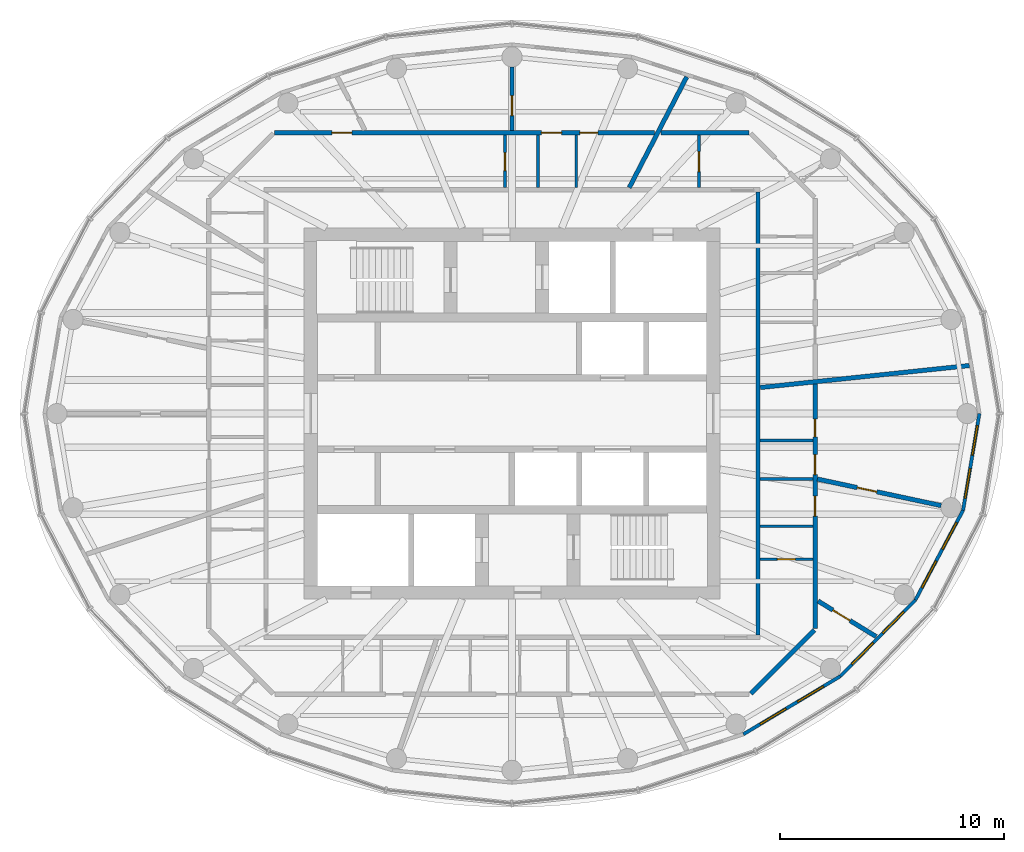
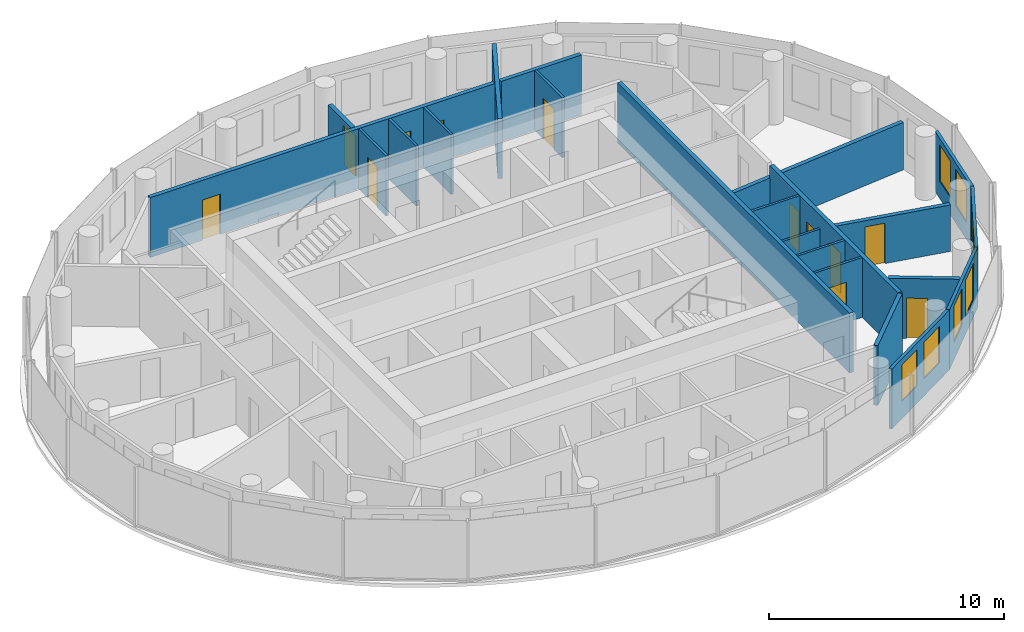
# One storey, part 8 of 11: 22 walls, 12 doors, 8 windows, 20 openings.
"""IFC4 building model written with IfcOpenShell, lengths in metres."""

from ifc_helpers import new_model, si_unit, direction, frame, frame_2d, origin, place, context, subcontext, project, spatial, rectangle, extrude, material, layer, layer_set, type_object, element, fill, save


model = new_model("IFC4")

# Units and contexts
model_context = context("Model", 3, precision=1e-05, world=origin(), true_north=direction((0.0, 1.0)))
body_context = subcontext(model_context, "Body", "Model", "MODEL_VIEW")
ifc_project = project(units=[si_unit("LENGTHUNIT", "METRE"), si_unit("AREAUNIT", "SQUARE_METRE"), si_unit("VOLUMEUNIT", "CUBIC_METRE"), si_unit("PLANEANGLEUNIT", "RADIAN"), si_unit("MASSUNIT", "GRAM", prefix="KILO")], contexts=[model_context])

# Site, building, storey
site_placement = place(None, origin())
site = spatial("IfcSite", under=ifc_project, at=site_placement, CompositionType="ELEMENT")
building_placement = place(site_placement, origin())
building = spatial("IfcBuilding", under=site, at=building_placement, Name="Hankou Lantern Tower", CompositionType="ELEMENT")
storey_placement = place(building_placement, frame((0.0, 0.0, 206.10009765625)))
storey = spatial("IfcBuildingStorey", under=building, at=storey_placement, Name="L55", CompositionType="ELEMENT", Elevation=206.10009765625)

# Wall, openings, windows
ifc_material_1 = material(Name="Aluminium spandrel panel on steel studs", Category="steel")
ifc_layer_1 = layer(ifc_material_1, 0.14990234375)
ifc_layer_set_1 = layer_set([ifc_layer_1], Name="Aluminium spandrel panel on steel studs")
wall_type_1 = type_object("IfcWallType", Name="EW1 INNER SKIN WALL 150", PredefinedType="ELEMENTEDWALL", material=ifc_layer_set_1)
wall_1_placement = place(storey_placement, frame((10.346435546875, -14.33642578125, 0.0), z_axis=(0.0, 0.0, 1.0), x_axis=(0.85822150553, 0.513279502265, 0.0)))
wall_1 = element("IfcWall", 1, at=wall_1_placement, inside=storey, type_object=wall_type_1, Name="Inner skin R21-R22 L55", PredefinedType="ELEMENTEDWALL", context=body_context, shape_type="SweptSolid", body=[
    extrude(rectangle(XDim=5.050048828125, YDim=0.14990234375, at=frame_2d((2.52490234375, 0.0))), origin(), (0.0, 0.0, 1.0), 3.119873046875),
])
opening_1_placement = place(wall_1_placement, frame((0.875, 0.0, 0.89990234375)))
opening_1 = element("IfcOpeningElement", 2, at=opening_1_placement, cuts=wall_1, Name="Opening W4", PredefinedType="OPENING", context=body_context, shape_type="SweptSolid", body=[
    extrude(rectangle(XDim=1.35009765625, YDim=1.89990234375, at=frame_2d((0.675048828125, 0.949951171875))), frame((0.0, 0.0849609375, 0.0), z_axis=(0.0, -1.0, 0.0), x_axis=(1.0, 0.0, 0.0)), (0.0, 0.0, 1.0), 0.169921875),
])
opening_2_placement = place(wall_1_placement, frame((2.824951171875, 0.0, 0.89990234375)))
opening_2 = element("IfcOpeningElement", 3, at=opening_2_placement, cuts=wall_1, Name="Opening W4", PredefinedType="OPENING", context=body_context, shape_type="SweptSolid", body=[
    extrude(rectangle(XDim=1.35009765625, YDim=1.89990234375, at=frame_2d((0.675048828125, 0.949951171875))), frame((0.0, 0.0849609375, 0.0), z_axis=(0.0, -1.0, 0.0), x_axis=(1.0, 0.0, 0.0)), (0.0, 0.0, 1.0), 0.169921875),
])
ifc_material_2 = material(Name="Aluminium framed double glazed window", Category="aluminium")
window_type = type_object("IfcWindowType", Name="W4 SUITE WINDOW 1350X1900", PartitioningType="DOUBLE_PANEL_VERTICAL", PredefinedType="WINDOW", material=ifc_material_2)
window_1_placement = place(opening_1_placement, origin())
window_1 = element("IfcWindow", 4, at=window_1_placement, inside=storey, type_object=window_type, Name="Window R21.1 L55", OverallHeight=1.89990234375, OverallWidth=1.35009765625, PartitioningType="SINGLE_PANEL", PredefinedType="WINDOW", context=body_context, shape_type="SweptSolid", body=[
    extrude(rectangle(XDim=1.35009765625, YDim=1.89990234375, at=frame_2d((0.675048828125, 0.949951171875))), frame((0.0, 0.030029296875, 0.0), z_axis=(0.0, -1.0, 0.0), x_axis=(1.0, 0.0, 0.0)), (0.0, 0.0, 1.0), 0.06005859375),
])
fill(opening_1, window_1)
window_2_placement = place(opening_2_placement, origin())
window_2 = element("IfcWindow", 5, at=window_2_placement, inside=storey, type_object=window_type, Name="Window R21.2 L55", OverallHeight=1.89990234375, OverallWidth=1.35009765625, PartitioningType="SINGLE_PANEL", PredefinedType="WINDOW", context=body_context, shape_type="SweptSolid", body=[
    extrude(rectangle(XDim=1.35009765625, YDim=1.89990234375, at=frame_2d((0.675048828125, 0.949951171875))), frame((0.0, 0.030029296875, 0.0), z_axis=(0.0, -1.0, 0.0), x_axis=(1.0, 0.0, 0.0)), (0.0, 0.0, 1.0), 0.06005859375),
])
fill(opening_2, window_2)

wall_2_placement = place(storey_placement, frame((14.680419921875, -11.744384765625, 0.0), z_axis=(0.0, 0.0, 1.0), x_axis=(0.701527379618, 0.712642501993, 0.0)))
wall_2 = element("IfcWall", 6, at=wall_2_placement, inside=storey, type_object=wall_type_1, Name="Inner skin R22-R23 L55", PredefinedType="ELEMENTEDWALL", context=body_context, shape_type="SweptSolid", body=[
    extrude(rectangle(XDim=4.788330078125, YDim=0.14990234375, at=frame_2d((2.39404296875, 0.0))), origin(), (0.0, 0.0, 1.0), 3.119873046875),
])
opening_3_placement = place(wall_2_placement, frame((0.744140625, 0.0, 0.89990234375)))
opening_3 = element("IfcOpeningElement", 7, at=opening_3_placement, cuts=wall_2, Name="Opening W4", PredefinedType="OPENING", context=body_context, shape_type="SweptSolid", body=[
    extrude(rectangle(XDim=1.35009765625, YDim=1.89990234375, at=frame_2d((0.675048828125, 0.949951171875))), frame((0.0, 0.0849609375, 0.0), z_axis=(0.0, -1.0, 0.0), x_axis=(1.0, 0.0, 0.0)), (0.0, 0.0, 1.0), 0.169921875),
])
opening_4_placement = place(wall_2_placement, frame((2.694091796875, 0.0, 0.89990234375)))
opening_4 = element("IfcOpeningElement", 8, at=opening_4_placement, cuts=wall_2, Name="Opening W4", PredefinedType="OPENING", context=body_context, shape_type="SweptSolid", body=[
    extrude(rectangle(XDim=1.35009765625, YDim=1.89990234375, at=frame_2d((0.675048828125, 0.949951171875))), frame((0.0, 0.0849609375, 0.0), z_axis=(0.0, -1.0, 0.0), x_axis=(1.0, 0.0, 0.0)), (0.0, 0.0, 1.0), 0.169921875),
])
window_3_placement = place(opening_3_placement, origin())
window_3 = element("IfcWindow", 9, at=window_3_placement, inside=storey, type_object=window_type, Name="Window R22.1 L55", OverallHeight=1.89990234375, OverallWidth=1.35009765625, PartitioningType="SINGLE_PANEL", PredefinedType="WINDOW", context=body_context, shape_type="SweptSolid", body=[
    extrude(rectangle(XDim=1.35009765625, YDim=1.89990234375, at=frame_2d((0.675048828125, 0.949951171875))), frame((0.0, 0.030029296875, 0.0), z_axis=(0.0, -1.0, 0.0), x_axis=(1.0, 0.0, 0.0)), (0.0, 0.0, 1.0), 0.06005859375),
])
fill(opening_3, window_3)
window_4_placement = place(opening_4_placement, origin())
window_4 = element("IfcWindow", 10, at=window_4_placement, inside=storey, type_object=window_type, Name="Window R22.2 L55", OverallHeight=1.89990234375, OverallWidth=1.35009765625, PartitioningType="SINGLE_PANEL", PredefinedType="WINDOW", context=body_context, shape_type="SweptSolid", body=[
    extrude(rectangle(XDim=1.35009765625, YDim=1.89990234375, at=frame_2d((0.675048828125, 0.949951171875))), frame((0.0, 0.030029296875, 0.0), z_axis=(0.0, -1.0, 0.0), x_axis=(1.0, 0.0, 0.0)), (0.0, 0.0, 1.0), 0.06005859375),
])
fill(opening_4, window_4)

wall_3_placement = place(storey_placement, frame((18.03955078125, -8.33203125, 0.0), z_axis=(0.0, 0.0, 1.0), x_axis=(0.469256152955, 0.883062094597, 0.0)))
wall_3 = element("IfcWall", 11, at=wall_3_placement, inside=storey, type_object=wall_type_1, Name="Inner skin R23-R24 L55", PredefinedType="ELEMENTEDWALL", context=body_context, shape_type="SweptSolid", body=[
    extrude(rectangle(XDim=4.539306640625, YDim=0.14990234375, at=frame_2d((2.26953125, 0.0))), origin(), (0.0, 0.0, 1.0), 3.119873046875),
])
opening_5_placement = place(wall_3_placement, frame((0.61962890625, 0.0, 0.89990234375)))
opening_5 = element("IfcOpeningElement", 12, at=opening_5_placement, cuts=wall_3, Name="Opening W4", PredefinedType="OPENING", context=body_context, shape_type="SweptSolid", body=[
    extrude(rectangle(XDim=1.35009765625, YDim=1.89990234375, at=frame_2d((0.675048828125, 0.949951171875))), frame((0.0, 0.0849609375, 0.0), z_axis=(0.0, -1.0, 0.0), x_axis=(1.0, 0.0, 0.0)), (0.0, 0.0, 1.0), 0.169921875),
])
opening_6_placement = place(wall_3_placement, frame((2.569580078125, 0.0, 0.89990234375)))
opening_6 = element("IfcOpeningElement", 13, at=opening_6_placement, cuts=wall_3, Name="Opening W4", PredefinedType="OPENING", context=body_context, shape_type="SweptSolid", body=[
    extrude(rectangle(XDim=1.35009765625, YDim=1.89990234375, at=frame_2d((0.675048828125, 0.949951171875))), frame((0.0, 0.0849609375, 0.0), z_axis=(0.0, -1.0, 0.0), x_axis=(1.0, 0.0, 0.0)), (0.0, 0.0, 1.0), 0.169921875),
])
window_5_placement = place(opening_5_placement, origin())
window_5 = element("IfcWindow", 14, at=window_5_placement, inside=storey, type_object=window_type, Name="Window R23.1 L55", OverallHeight=1.89990234375, OverallWidth=1.35009765625, PartitioningType="SINGLE_PANEL", PredefinedType="WINDOW", context=body_context, shape_type="SweptSolid", body=[
    extrude(rectangle(XDim=1.35009765625, YDim=1.89990234375, at=frame_2d((0.675048828125, 0.949951171875))), frame((0.0, 0.030029296875, 0.0), z_axis=(0.0, -1.0, 0.0), x_axis=(1.0, 0.0, 0.0)), (0.0, 0.0, 1.0), 0.06005859375),
])
fill(opening_5, window_5)
window_6_placement = place(opening_6_placement, origin())
window_6 = element("IfcWindow", 15, at=window_6_placement, inside=storey, type_object=window_type, Name="Window R23.2 L55", OverallHeight=1.89990234375, OverallWidth=1.35009765625, PartitioningType="SINGLE_PANEL", PredefinedType="WINDOW", context=body_context, shape_type="SweptSolid", body=[
    extrude(rectangle(XDim=1.35009765625, YDim=1.89990234375, at=frame_2d((0.675048828125, 0.949951171875))), frame((0.0, 0.030029296875, 0.0), z_axis=(0.0, -1.0, 0.0), x_axis=(1.0, 0.0, 0.0)), (0.0, 0.0, 1.0), 0.06005859375),
])
fill(opening_6, window_6)

wall_4_placement = place(storey_placement, frame((20.169677734375, -4.323486328125, 0.0), z_axis=(0.0, 0.0, 1.0), x_axis=(0.166538513568, 0.986034950445, 0.0)))
wall_4 = element("IfcWall", 16, at=wall_4_placement, inside=storey, type_object=wall_type_1, Name="Inner skin R24-R01 L55", PredefinedType="ELEMENTEDWALL", context=body_context, shape_type="SweptSolid", body=[
    extrude(rectangle(XDim=4.384765625, YDim=0.14990234375, at=frame_2d((2.1923828125, 0.0))), origin(), (0.0, 0.0, 1.0), 3.119873046875),
])
opening_7_placement = place(wall_4_placement, frame((0.54248046875, 0.0, 0.89990234375)))
opening_7 = element("IfcOpeningElement", 17, at=opening_7_placement, cuts=wall_4, Name="Opening W4", PredefinedType="OPENING", context=body_context, shape_type="SweptSolid", body=[
    extrude(rectangle(XDim=1.35009765625, YDim=1.89990234375, at=frame_2d((0.675048828125, 0.949951171875))), frame((0.0, 0.0849609375, 0.0), z_axis=(0.0, -1.0, 0.0), x_axis=(1.0, 0.0, 0.0)), (0.0, 0.0, 1.0), 0.169921875),
])
opening_8_placement = place(wall_4_placement, frame((2.492431640625, 0.0, 0.89990234375)))
opening_8 = element("IfcOpeningElement", 18, at=opening_8_placement, cuts=wall_4, Name="Opening W4", PredefinedType="OPENING", context=body_context, shape_type="SweptSolid", body=[
    extrude(rectangle(XDim=1.35009765625, YDim=1.89990234375, at=frame_2d((0.675048828125, 0.949951171875))), frame((0.0, 0.0849609375, 0.0), z_axis=(0.0, -1.0, 0.0), x_axis=(1.0, 0.0, 0.0)), (0.0, 0.0, 1.0), 0.169921875),
])
window_7_placement = place(opening_7_placement, origin())
window_7 = element("IfcWindow", 19, at=window_7_placement, inside=storey, type_object=window_type, Name="Window R24.1 L55", OverallHeight=1.89990234375, OverallWidth=1.35009765625, PartitioningType="SINGLE_PANEL", PredefinedType="WINDOW", context=body_context, shape_type="SweptSolid", body=[
    extrude(rectangle(XDim=1.35009765625, YDim=1.89990234375, at=frame_2d((0.675048828125, 0.949951171875))), frame((0.0, 0.030029296875, 0.0), z_axis=(0.0, -1.0, 0.0), x_axis=(1.0, 0.0, 0.0)), (0.0, 0.0, 1.0), 0.06005859375),
])
fill(opening_7, window_7)
window_8_placement = place(opening_8_placement, origin())
window_8 = element("IfcWindow", 20, at=window_8_placement, inside=storey, type_object=window_type, Name="Window R24.2 L55", OverallHeight=1.89990234375, OverallWidth=1.35009765625, PartitioningType="SINGLE_PANEL", PredefinedType="WINDOW", context=body_context, shape_type="SweptSolid", body=[
    extrude(rectangle(XDim=1.35009765625, YDim=1.89990234375, at=frame_2d((0.675048828125, 0.949951171875))), frame((0.0, 0.030029296875, 0.0), z_axis=(0.0, -1.0, 0.0), x_axis=(1.0, 0.0, 0.0)), (0.0, 0.0, 1.0), 0.06005859375),
])
fill(opening_8, window_8)

# Walls
ifc_material_3 = material(Name="Masonry lightweight concrete block", Category="masonry")
ifc_layer_2 = layer(ifc_material_3, 0.199951171875)
ifc_layer_set_2 = layer_set([ifc_layer_2], Name="Masonry lightweight concrete block")
wall_type_2 = type_object("IfcWallType", Name="IW1 GUEST ROOM PARTY WALL 200", PredefinedType="PARTITIONING", material=ifc_layer_set_2)
wall_5_placement = place(storey_placement, frame((11.10009765625, 1.166015625, 0.0), z_axis=(0.0, 0.0, 1.0), x_axis=(0.994527487125, 0.104475247564, 0.0)))
element("IfcWall", 21, at=wall_5_placement, inside=storey, type_object=wall_type_2, Name="Party wall R01-R02", PredefinedType="PARTITIONING", context=body_context, shape_type="SweptSolid", body=[
    extrude(rectangle(XDim=9.401123046875, YDim=0.199951171875, at=frame_2d((4.70068359375, 0.0))), origin(), (0.0, 0.0, 1.0), 2.469970703125),
])
wall_6_placement = place(storey_placement, frame((5.2412109375, 10.10009765625, 0.0), z_axis=(0.0, 0.0, 1.0), x_axis=(0.460603196597, 0.887606160008, 0.0)))
element("IfcWall", 22, at=wall_6_placement, inside=storey, type_object=wall_type_2, Name="Party wall R05-R06", PredefinedType="PARTITIONING", context=body_context, shape_type="SweptSolid", body=[
    extrude(rectangle(XDim=5.580322265625, YDim=0.199951171875, at=frame_2d((2.7900390625, 0.0))), origin(), (0.0, 0.0, 1.0), 3.119873046875),
])
ifc_material_4 = material(Name="Masonry lightweight concrete block", Category="masonry")
ifc_layer_3 = layer(ifc_material_4, 0.199951171875)
ifc_layer_set_3 = layer_set([ifc_layer_3], Name="Masonry lightweight concrete block")
wall_type_3 = type_object("IfcWallType", Name="IW2 CORRIDOR WALL 200", PredefinedType="PARTITIONING", material=ifc_layer_set_3)
wall_7_placement = place(storey_placement, frame((11.0, -9.89990234375, 0.0), z_axis=(0.0, 0.0, 1.0), x_axis=(0.0, 1.0, 0.0)))
element("IfcWall", 23, at=wall_7_placement, inside=storey, type_object=wall_type_3, Name="Corridor wall east", PredefinedType="PARTITIONING", context=body_context, shape_type="SweptSolid", body=[
    extrude(rectangle(XDim=19.7998046875, YDim=0.199951171875, at=frame_2d((9.89990234375, 0.0))), origin(), (0.0, 0.0, 1.0), 3.119873046875),
])

# Wall, opening, door
ifc_material_5 = material(Name="Masonry lightweight concrete block", Category="masonry")
ifc_layer_4 = layer(ifc_material_5, 0.1201171875)
ifc_layer_set_4 = layer_set([ifc_layer_4], Name="Masonry lightweight concrete block")
wall_type_4 = type_object("IfcWallType", Name="IW3 BATHROOM WALL 120", PredefinedType="PARTITIONING", material=ifc_layer_set_4)
wall_8_placement = place(storey_placement, frame((8.362548828125, 10.10009765625, 0.0), z_axis=(0.0, 0.0, 1.0), x_axis=(0.0, 1.0, 0.0)))
wall_8 = element("IfcWall", 24, at=wall_8_placement, inside=storey, type_object=wall_type_4, Name="Box wall 5501 4", PredefinedType="PARTITIONING", context=body_context, shape_type="SweptSolid", body=[
    extrude(rectangle(XDim=2.349853515625, YDim=0.1201171875, at=frame_2d((1.1748046875, 0.0))), origin(), (0.0, 0.0, 1.0), 3.119873046875),
])
opening_9_placement = place(wall_8_placement, frame((0.719970703125, 0.0, 0.0)))
opening_9 = element("IfcOpeningElement", 25, at=opening_9_placement, cuts=wall_8, Name="Opening D27", PredefinedType="OPENING", context=body_context, shape_type="SweptSolid", body=[
    extrude(rectangle(XDim=0.89990234375, YDim=2.10009765625, at=frame_2d((0.449951171875, 1.050048828125))), frame((0.0, 0.070068359375, 0.0), z_axis=(0.0, -1.0, 0.0), x_axis=(1.0, 0.0, 0.0)), (0.0, 0.0, 1.0), 0.14013671875),
])
ifc_material_6 = material(Name="Timber door leaf", Category="wood")
door_type_1 = type_object("IfcDoorType", Name="D27 INTERNAL DOOR 900X2100", OperationType="SINGLE_SWING_LEFT", PredefinedType="DOOR", material=ifc_material_6)
door_1_placement = place(opening_9_placement, origin())
door_1 = element("IfcDoor", 26, at=door_1_placement, inside=storey, type_object=door_type_1, Name="Corner suite 5501 pantry door", OperationType="SINGLE_SWING_LEFT", OverallHeight=2.10009765625, OverallWidth=0.89990234375, PredefinedType="DOOR", context=body_context, shape_type="SweptSolid", body=[
    extrude(rectangle(XDim=0.89990234375, YDim=2.10009765625, at=frame_2d((0.449951171875, 1.050048828125))), frame((0.0, 0.02490234375, 0.0), z_axis=(0.0, -1.0, 0.0), x_axis=(1.0, 0.0, 0.0)), (0.0, 0.0, 1.0), 0.050048828125),
])
fill(opening_9, door_1)

# Walls
for number, where, z_axis, x_axis, name in (
    (27, (2.87890625, 10.10009765625, 0.0), (0.0, 0.0, 1.0), (0.0, 1.0, 0.0), "Box wall 5502 1"),
    (28, (1.158935546875, 10.10009765625, 0.0), (0.0, 0.0, 1.0), (0.0, 1.0, 0.0), "Box wall 5502 2"),
):
    element("IfcWall", number, at=place(storey_placement, frame(where, z_axis=z_axis, x_axis=x_axis)), inside=storey, type_object=wall_type_4, Name=name, PredefinedType="PARTITIONING", context=body_context, shape_type="SweptSolid", body=[
        extrude(rectangle(XDim=2.349853515625, YDim=0.1201171875, at=frame_2d((1.1748046875, 0.0))), origin(), (0.0, 0.0, 1.0), 3.119873046875),
    ])

# Wall, opening, door
wall_9_placement = place(storey_placement, frame((-0.31103515625, 10.10009765625, 0.0), z_axis=(0.0, 0.0, 1.0), x_axis=(0.0, 1.0, 0.0)))
wall_9 = element("IfcWall", 29, at=wall_9_placement, inside=storey, type_object=wall_type_4, Name="Box wall 5502 3", PredefinedType="PARTITIONING", context=body_context, shape_type="SweptSolid", body=[
    extrude(rectangle(XDim=2.349853515625, YDim=0.1201171875, at=frame_2d((1.1748046875, 0.0))), origin(), (0.0, 0.0, 1.0), 3.119873046875),
])
opening_10_placement = place(wall_9_placement, frame((0.77001953125, 0.0, 0.0)))
opening_10 = element("IfcOpeningElement", 30, at=opening_10_placement, cuts=wall_9, Name="Opening D3", PredefinedType="OPENING", context=body_context, shape_type="SweptSolid", body=[
    extrude(rectangle(XDim=0.800048828125, YDim=2.10009765625, at=frame_2d((0.39990234375, 1.050048828125))), frame((0.0, 0.070068359375, 0.0), z_axis=(0.0, -1.0, 0.0), x_axis=(1.0, 0.0, 0.0)), (0.0, 0.0, 1.0), 0.14013671875),
])
ifc_material_7 = material(Name="Timber door leaf", Category="wood")
door_type_2 = type_object("IfcDoorType", Name="D3 BATHROOM DOOR 800X2100", OperationType="SINGLE_SWING_LEFT", PredefinedType="DOOR", material=ifc_material_7)
door_2_placement = place(opening_10_placement, origin())
door_2 = element("IfcDoor", 31, at=door_2_placement, inside=storey, type_object=door_type_2, Name="Corner suite 5502 guest WC door", OperationType="SINGLE_SWING_LEFT", OverallHeight=2.10009765625, OverallWidth=0.800048828125, PredefinedType="DOOR", context=body_context, shape_type="SweptSolid", body=[
    extrude(rectangle(XDim=0.800048828125, YDim=2.10009765625, at=frame_2d((0.39990234375, 1.050048828125))), frame((0.0, 0.02490234375, 0.0), z_axis=(0.0, -1.0, 0.0), x_axis=(1.0, 0.0, 0.0)), (0.0, 0.0, 1.0), 0.050048828125),
])
fill(opening_10, door_2)

wall_10_placement = place(storey_placement, frame((11.10009765625, -6.513671875, 0.0), z_axis=(0.0, 0.0, 1.0), x_axis=(1.0, 0.0, 0.0)))
wall_10 = element("IfcWall", 32, at=wall_10_placement, inside=storey, type_object=wall_type_4, Name="Box wall 5506 1", PredefinedType="PARTITIONING", context=body_context, shape_type="SweptSolid", body=[
    extrude(rectangle(XDim=2.349853515625, YDim=0.1201171875, at=frame_2d((1.1748046875, 0.0))), origin(), (0.0, 0.0, 1.0), 3.119873046875),
])
opening_11_placement = place(wall_10_placement, frame((0.77001953125, 0.0, 0.0)))
opening_11 = element("IfcOpeningElement", 33, at=opening_11_placement, cuts=wall_10, Name="Opening D3", PredefinedType="OPENING", context=body_context, shape_type="SweptSolid", body=[
    extrude(rectangle(XDim=0.800048828125, YDim=2.10009765625, at=frame_2d((0.39990234375, 1.050048828125))), frame((0.0, 0.070068359375, 0.0), z_axis=(0.0, -1.0, 0.0), x_axis=(1.0, 0.0, 0.0)), (0.0, 0.0, 1.0), 0.14013671875),
])
door_3_placement = place(opening_11_placement, origin())
door_3 = element("IfcDoor", 34, at=door_3_placement, inside=storey, type_object=door_type_2, Name="Corner suite 5506 guest WC door", OperationType="SINGLE_SWING_LEFT", OverallHeight=2.10009765625, OverallWidth=0.800048828125, PredefinedType="DOOR", context=body_context, shape_type="SweptSolid", body=[
    extrude(rectangle(XDim=0.800048828125, YDim=2.10009765625, at=frame_2d((0.39990234375, 1.050048828125))), frame((0.0, 0.02490234375, 0.0), z_axis=(0.0, -1.0, 0.0), x_axis=(1.0, 0.0, 0.0)), (0.0, 0.0, 1.0), 0.050048828125),
])
fill(opening_11, door_3)

# Walls
wall_11_placement = place(storey_placement, frame((11.10009765625, -5.043701171875, 0.0), z_axis=(0.0, 0.0, 1.0), x_axis=(1.0, 0.0, 0.0)))
element("IfcWall", 35, at=wall_11_placement, inside=storey, type_object=wall_type_4, Name="Box wall 5506 2", PredefinedType="PARTITIONING", context=body_context, shape_type="SweptSolid", body=[
    extrude(rectangle(XDim=2.349853515625, YDim=0.1201171875, at=frame_2d((1.1748046875, 0.0))), origin(), (0.0, 0.0, 1.0), 3.119873046875),
])
wall_12_placement = place(storey_placement, frame((11.10009765625, -2.923583984375, 0.0), z_axis=(0.0, 0.0, 1.0), x_axis=(1.0, 0.0, 0.0)))
element("IfcWall", 36, at=wall_12_placement, inside=storey, type_object=wall_type_4, Name="Box wall 5506 3", PredefinedType="PARTITIONING", context=body_context, shape_type="SweptSolid", body=[
    extrude(rectangle(XDim=2.349853515625, YDim=0.1201171875, at=frame_2d((1.1748046875, 0.0))), origin(), (0.0, 0.0, 1.0), 2.419921875),
])
wall_13_placement = place(storey_placement, frame((11.10009765625, -1.20361328125, 0.0), z_axis=(0.0, 0.0, 1.0), x_axis=(1.0, 0.0, 0.0)))
element("IfcWall", 37, at=wall_13_placement, inside=storey, type_object=wall_type_4, Name="Box wall 5506 4", PredefinedType="PARTITIONING", context=body_context, shape_type="SweptSolid", body=[
    extrude(rectangle(XDim=2.349853515625, YDim=0.1201171875, at=frame_2d((1.1748046875, 0.0))), origin(), (0.0, 0.0, 1.0), 3.119873046875),
])
ifc_material_8 = material(Name="Masonry lightweight concrete block", Category="masonry")
ifc_layer_5 = layer(ifc_material_8, 0.199951171875)
ifc_layer_set_5 = layer_set([ifc_layer_5], Name="Masonry lightweight concrete block")
wall_type_5 = type_object("IfcWallType", Name="IW6 SUITE PARTITION 200", PredefinedType="PARTITIONING", material=ifc_layer_set_5)
wall_14_placement = place(storey_placement, frame((10.608642578125, 12.550048828125, 0.0), z_axis=(0.0, 0.0, 1.0), x_axis=(-1.0, 0.0, 0.0)))
element("IfcWall", 38, at=wall_14_placement, inside=storey, type_object=wall_type_5, Name="Suite foyer wall 5501", PredefinedType="PARTITIONING", context=body_context, shape_type="SweptSolid", body=[
    extrude(rectangle(XDim=3.947265625, YDim=0.199951171875, at=frame_2d((1.9736328125, 0.0))), origin(), (0.0, 0.0, 1.0), 3.119873046875),
])

# Wall, openings, doors
wall_15_placement = place(storey_placement, frame((6.36376953125, 12.550048828125, 0.0), z_axis=(0.0, 0.0, 1.0), x_axis=(-1.0, 0.0, 0.0)))
wall_15 = element("IfcWall", 39, at=wall_15_placement, inside=storey, type_object=wall_type_5, Name="Suite foyer wall 5502", PredefinedType="PARTITIONING", context=body_context, shape_type="SweptSolid", body=[
    extrude(rectangle(XDim=16.972412109375, YDim=0.199951171875, at=frame_2d((8.486328125, 0.0))), origin(), (0.0, 0.0, 1.0), 3.119873046875),
])
opening_12_placement = place(wall_15_placement, frame((2.524658203125, 0.0, 0.0)))
opening_12 = element("IfcOpeningElement", 40, at=opening_12_placement, cuts=wall_15, Name="Opening D3", PredefinedType="OPENING", context=body_context, shape_type="SweptSolid", body=[
    extrude(rectangle(XDim=0.800048828125, YDim=2.10009765625, at=frame_2d((0.39990234375, 1.050048828125))), frame((0.0, 0.10986328125, 0.0), z_axis=(0.0, -1.0, 0.0), x_axis=(1.0, 0.0, 0.0)), (0.0, 0.0, 1.0), 0.219970703125),
])
opening_13_placement = place(wall_15_placement, frame((4.144775390625, 0.0, 0.0)))
opening_13 = element("IfcOpeningElement", 41, at=opening_13_placement, cuts=wall_15, Name="Opening D27", PredefinedType="OPENING", context=body_context, shape_type="SweptSolid", body=[
    extrude(rectangle(XDim=0.89990234375, YDim=2.10009765625, at=frame_2d((0.449951171875, 1.050048828125))), frame((0.0, 0.10986328125, 0.0), z_axis=(0.0, -1.0, 0.0), x_axis=(1.0, 0.0, 0.0)), (0.0, 0.0, 1.0), 0.219970703125),
])
opening_14_placement = place(wall_15_placement, frame((13.52001953125, 0.0, 0.0)))
opening_14 = element("IfcOpeningElement", 42, at=opening_14_placement, cuts=wall_15, Name="Opening D27", PredefinedType="OPENING", context=body_context, shape_type="SweptSolid", body=[
    extrude(rectangle(XDim=0.89990234375, YDim=2.10009765625, at=frame_2d((0.449951171875, 1.050048828125))), frame((0.0, 0.10986328125, 0.0), z_axis=(0.0, -1.0, 0.0), x_axis=(1.0, 0.0, 0.0)), (0.0, 0.0, 1.0), 0.219970703125),
])
door_4_placement = place(opening_13_placement, origin())
door_4 = element("IfcDoor", 43, at=door_4_placement, inside=storey, type_object=door_type_1, Name="Corner suite 5502 walk-in wardrobe door", OperationType="SINGLE_SWING_RIGHT", OverallHeight=2.10009765625, OverallWidth=0.89990234375, PredefinedType="DOOR", context=body_context, shape_type="SweptSolid", body=[
    extrude(rectangle(XDim=0.89990234375, YDim=2.10009765625, at=frame_2d((0.449951171875, 1.050048828125))), frame((0.0, 0.02490234375, 0.0), z_axis=(0.0, -1.0, 0.0), x_axis=(1.0, 0.0, 0.0)), (0.0, 0.0, 1.0), 0.050048828125),
])
fill(opening_13, door_4)
door_5_placement = place(opening_14_placement, origin())
door_5 = element("IfcDoor", 44, at=door_5_placement, inside=storey, type_object=door_type_1, Name="Corner suite 5502 living room door", OperationType="SINGLE_SWING_LEFT", OverallHeight=2.10009765625, OverallWidth=0.89990234375, PredefinedType="DOOR", context=body_context, shape_type="SweptSolid", body=[
    extrude(rectangle(XDim=0.89990234375, YDim=2.10009765625, at=frame_2d((0.449951171875, 1.050048828125))), frame((0.0, 0.02490234375, 0.0), z_axis=(0.0, -1.0, 0.0), x_axis=(1.0, 0.0, 0.0)), (0.0, 0.0, 1.0), 0.050048828125),
])
fill(opening_14, door_5)
door_6_placement = place(opening_12_placement, origin())
door_6 = element("IfcDoor", 45, at=door_6_placement, inside=storey, type_object=door_type_2, Name="Corner suite 5502 bathroom door", OperationType="SINGLE_SWING_RIGHT", OverallHeight=2.10009765625, OverallWidth=0.800048828125, PredefinedType="DOOR", context=body_context, shape_type="SweptSolid", body=[
    extrude(rectangle(XDim=0.800048828125, YDim=2.10009765625, at=frame_2d((0.39990234375, 1.050048828125))), frame((0.0, 0.02490234375, 0.0), z_axis=(0.0, -1.0, 0.0), x_axis=(1.0, 0.0, 0.0)), (0.0, 0.0, 1.0), 0.050048828125),
])
fill(opening_12, door_6)

# Wall, opening, door
wall_16_placement = place(storey_placement, frame((0.0, 12.64990234375, 0.0), z_axis=(0.0, 0.0, 1.0), x_axis=(0.0, 1.0, 0.0)))
wall_16 = element("IfcWall", 46, at=wall_16_placement, inside=storey, type_object=wall_type_5, Name="Suite partition R07", PredefinedType="PARTITIONING", context=body_context, shape_type="SweptSolid", body=[
    extrude(rectangle(XDim=2.85009765625, YDim=0.199951171875, at=frame_2d((1.425048828125, 0.0))), origin(), (0.0, 0.0, 1.0), 2.419921875),
])
opening_15_placement = place(wall_16_placement, frame((0.669921875, 0.0, 0.0)))
opening_15 = element("IfcOpeningElement", 47, at=opening_15_placement, cuts=wall_16, Name="Opening D27", PredefinedType="OPENING", context=body_context, shape_type="SweptSolid", body=[
    extrude(rectangle(XDim=0.89990234375, YDim=2.10009765625, at=frame_2d((0.449951171875, 1.050048828125))), frame((0.0, 0.10986328125, 0.0), z_axis=(0.0, -1.0, 0.0), x_axis=(1.0, 0.0, 0.0)), (0.0, 0.0, 1.0), 0.219970703125),
])
door_7_placement = place(opening_15_placement, origin())
door_7 = element("IfcDoor", 48, at=door_7_placement, inside=storey, type_object=door_type_1, Name="Corner suite 5502 dining room door", OperationType="SINGLE_SWING_LEFT", OverallHeight=2.10009765625, OverallWidth=0.89990234375, PredefinedType="DOOR", context=body_context, shape_type="SweptSolid", body=[
    extrude(rectangle(XDim=0.89990234375, YDim=2.10009765625, at=frame_2d((0.449951171875, 1.050048828125))), frame((0.0, 0.02490234375, 0.0), z_axis=(0.0, -1.0, 0.0), x_axis=(1.0, 0.0, 0.0)), (0.0, 0.0, 1.0), 0.050048828125),
])
fill(opening_15, door_7)

# Wall
wall_17_placement = place(storey_placement, frame((10.67919921875, -12.520751953125, 0.0), z_axis=(0.0, 0.0, 1.0), x_axis=(0.707106781187, 0.707106781187, 0.0)))
element("IfcWall", 49, at=wall_17_placement, inside=storey, type_object=wall_type_5, Name="Suite foyer wall 5506", PredefinedType="PARTITIONING", context=body_context, shape_type="SweptSolid", body=[
    extrude(rectangle(XDim=4.0185546875, YDim=0.199951171875, at=frame_2d((2.00927734375, 0.0))), origin(), (0.0, 0.0, 1.0), 3.119873046875),
])

# Wall, openings, doors
wall_18_placement = place(storey_placement, frame((13.550048828125, -9.608642578125, 0.0), z_axis=(0.0, 0.0, 1.0), x_axis=(0.0, 1.0, 0.0)))
wall_18 = element("IfcWall", 50, at=wall_18_placement, inside=storey, type_object=wall_type_5, Name="Suite foyer wall 5506", PredefinedType="PARTITIONING", context=body_context, shape_type="SweptSolid", body=[
    extrude(rectangle(XDim=10.930419921875, YDim=0.199951171875, at=frame_2d((5.46533203125, 0.0))), origin(), (0.0, 0.0, 1.0), 3.119873046875),
])
opening_16_placement = place(wall_18_placement, frame((5.02001953125, 0.0, 0.0)))
opening_16 = element("IfcOpeningElement", 51, at=opening_16_placement, cuts=wall_18, Name="Opening D27", PredefinedType="OPENING", context=body_context, shape_type="SweptSolid", body=[
    extrude(rectangle(XDim=0.89990234375, YDim=2.10009765625, at=frame_2d((0.449951171875, 1.050048828125))), frame((0.0, 0.10986328125, 0.0), z_axis=(0.0, -1.0, 0.0), x_axis=(1.0, 0.0, 0.0)), (0.0, 0.0, 1.0), 0.219970703125),
])
opening_17_placement = place(wall_18_placement, frame((6.876953125, 0.0, 0.0)))
opening_17 = element("IfcOpeningElement", 52, at=opening_17_placement, cuts=wall_18, Name="Opening D27", PredefinedType="OPENING", context=body_context, shape_type="SweptSolid", body=[
    extrude(rectangle(XDim=0.89990234375, YDim=2.10009765625, at=frame_2d((0.449951171875, 1.050048828125))), frame((0.0, 0.10986328125, 0.0), z_axis=(0.0, -1.0, 0.0), x_axis=(1.0, 0.0, 0.0)), (0.0, 0.0, 1.0), 0.219970703125),
])
opening_18_placement = place(wall_18_placement, frame((8.56494140625, 0.0, 0.0)))
opening_18 = element("IfcOpeningElement", 53, at=opening_18_placement, cuts=wall_18, Name="Opening D3", PredefinedType="OPENING", context=body_context, shape_type="SweptSolid", body=[
    extrude(rectangle(XDim=0.800048828125, YDim=2.10009765625, at=frame_2d((0.39990234375, 1.050048828125))), frame((0.0, 0.10986328125, 0.0), z_axis=(0.0, -1.0, 0.0), x_axis=(1.0, 0.0, 0.0)), (0.0, 0.0, 1.0), 0.219970703125),
])
door_8_placement = place(opening_16_placement, origin())
door_8 = element("IfcDoor", 54, at=door_8_placement, inside=storey, type_object=door_type_1, Name="Corner suite 5506 pantry door", OperationType="SINGLE_SWING_LEFT", OverallHeight=2.10009765625, OverallWidth=0.89990234375, PredefinedType="DOOR", context=body_context, shape_type="SweptSolid", body=[
    extrude(rectangle(XDim=0.89990234375, YDim=2.10009765625, at=frame_2d((0.449951171875, 1.050048828125))), frame((0.0, 0.02490234375, 0.0), z_axis=(0.0, -1.0, 0.0), x_axis=(1.0, 0.0, 0.0)), (0.0, 0.0, 1.0), 0.050048828125),
])
fill(opening_16, door_8)
door_9_placement = place(opening_17_placement, origin())
door_9 = element("IfcDoor", 55, at=door_9_placement, inside=storey, type_object=door_type_1, Name="Corner suite 5506 walk-in wardrobe door", OperationType="SINGLE_SWING_LEFT", OverallHeight=2.10009765625, OverallWidth=0.89990234375, PredefinedType="DOOR", context=body_context, shape_type="SweptSolid", body=[
    extrude(rectangle(XDim=0.89990234375, YDim=2.10009765625, at=frame_2d((0.449951171875, 1.050048828125))), frame((0.0, 0.02490234375, 0.0), z_axis=(0.0, -1.0, 0.0), x_axis=(1.0, 0.0, 0.0)), (0.0, 0.0, 1.0), 0.050048828125),
])
fill(opening_17, door_9)
door_10_placement = place(opening_18_placement, origin())
door_10 = element("IfcDoor", 56, at=door_10_placement, inside=storey, type_object=door_type_2, Name="Corner suite 5506 bathroom door", OperationType="SINGLE_SWING_LEFT", OverallHeight=2.10009765625, OverallWidth=0.800048828125, PredefinedType="DOOR", context=body_context, shape_type="SweptSolid", body=[
    extrude(rectangle(XDim=0.800048828125, YDim=2.10009765625, at=frame_2d((0.39990234375, 1.050048828125))), frame((0.0, 0.02490234375, 0.0), z_axis=(0.0, -1.0, 0.0), x_axis=(1.0, 0.0, 0.0)), (0.0, 0.0, 1.0), 0.050048828125),
])
fill(opening_18, door_10)

# Wall, opening, door
wall_19_placement = place(storey_placement, frame((13.6884765625, -8.38232421875, 0.0), z_axis=(0.0, 0.0, 1.0), x_axis=(0.852783459586, -0.522264656144, 0.0)))
wall_19 = element("IfcWall", 57, at=wall_19_placement, inside=storey, type_object=wall_type_5, Name="Suite partition R22-R23", PredefinedType="PARTITIONING", context=body_context, shape_type="SweptSolid", body=[
    extrude(rectangle(XDim=3.041748046875, YDim=0.199951171875, at=frame_2d((1.52099609375, 0.0))), origin(), (0.0, 0.0, 1.0), 3.119873046875),
])
opening_19_placement = place(wall_19_placement, frame((0.77001953125, 0.0, 0.0)))
opening_19 = element("IfcOpeningElement", 58, at=opening_19_placement, cuts=wall_19, Name="Opening D27", PredefinedType="OPENING", context=body_context, shape_type="SweptSolid", body=[
    extrude(rectangle(XDim=0.89990234375, YDim=2.10009765625, at=frame_2d((0.449951171875, 1.050048828125))), frame((0.0, 0.10986328125, 0.0), z_axis=(0.0, -1.0, 0.0), x_axis=(1.0, 0.0, 0.0)), (0.0, 0.0, 1.0), 0.219970703125),
])
door_11_placement = place(opening_19_placement, origin())
door_11 = element("IfcDoor", 59, at=door_11_placement, inside=storey, type_object=door_type_1, Name="Corner suite 5506 dining room door", OperationType="SINGLE_SWING_LEFT", OverallHeight=2.10009765625, OverallWidth=0.89990234375, PredefinedType="DOOR", context=body_context, shape_type="SweptSolid", body=[
    extrude(rectangle(XDim=0.89990234375, YDim=2.10009765625, at=frame_2d((0.449951171875, 1.050048828125))), frame((0.0, 0.02490234375, 0.0), z_axis=(0.0, -1.0, 0.0), x_axis=(1.0, 0.0, 0.0)), (0.0, 0.0, 1.0), 0.050048828125),
])
fill(opening_19, door_11)

wall_20_placement = place(storey_placement, frame((13.65478515625, -2.927001953125, 0.0), z_axis=(0.0, 0.0, 1.0), x_axis=(0.977790419294, -0.209585056568, 0.0)))
wall_20 = element("IfcWall", 60, at=wall_20_placement, inside=storey, type_object=wall_type_5, Name="Suite partition R24", PredefinedType="PARTITIONING", context=body_context, shape_type="SweptSolid", body=[
    extrude(rectangle(XDim=5.66015625, YDim=0.199951171875, at=frame_2d((2.830078125, 0.0))), origin(), (0.0, 0.0, 1.0), 2.419921875),
])
opening_20_placement = place(wall_20_placement, frame((1.820068359375, 0.0, 0.0)))
opening_20 = element("IfcOpeningElement", 61, at=opening_20_placement, cuts=wall_20, Name="Opening D27", PredefinedType="OPENING", context=body_context, shape_type="SweptSolid", body=[
    extrude(rectangle(XDim=0.89990234375, YDim=2.10009765625, at=frame_2d((0.449951171875, 1.050048828125))), frame((0.0, 0.10986328125, 0.0), z_axis=(0.0, -1.0, 0.0), x_axis=(1.0, 0.0, 0.0)), (0.0, 0.0, 1.0), 0.219970703125),
])
door_12_placement = place(opening_20_placement, origin())
door_12 = element("IfcDoor", 62, at=door_12_placement, inside=storey, type_object=door_type_1, Name="Corner suite 5506 bedroom door", OperationType="SINGLE_SWING_LEFT", OverallHeight=2.10009765625, OverallWidth=0.89990234375, PredefinedType="DOOR", context=body_context, shape_type="SweptSolid", body=[
    extrude(rectangle(XDim=0.89990234375, YDim=2.10009765625, at=frame_2d((0.449951171875, 1.050048828125))), frame((0.0, 0.02490234375, 0.0), z_axis=(0.0, -1.0, 0.0), x_axis=(1.0, 0.0, 0.0)), (0.0, 0.0, 1.0), 0.050048828125),
])
fill(opening_20, door_12)

save(model, "model.ifc")
